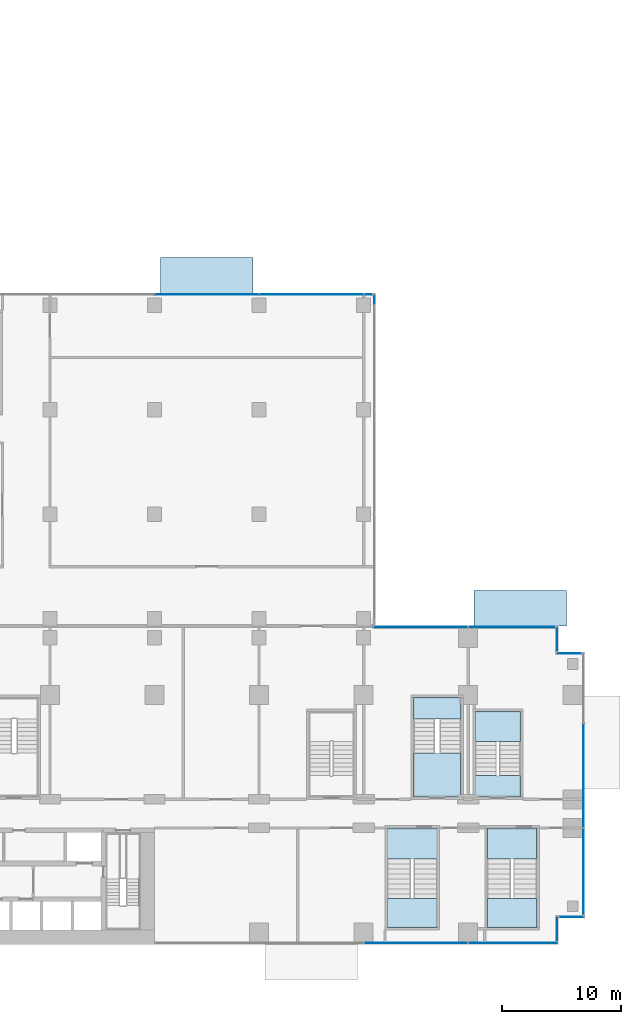
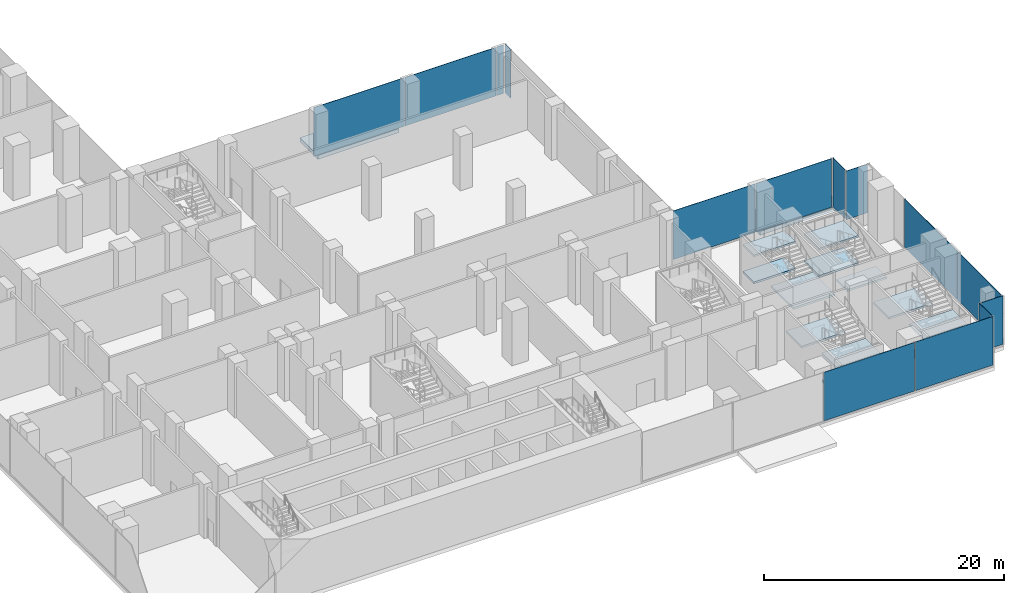
# One storey, part 16 of 30: 14 plates, 14 slabs, 13 elements without a shape of their own.
"""IFC4 building model written with IfcOpenShell, lengths in metres."""

from ifc_helpers import new_model, si_unit, direction, frame, origin, origin_2d, place, context, subcontext, project, spatial, polyline, rectangle, outline, extrude, source, transform, mapped, material, layer, layer_set, type_object, element, aggregate, save


model = new_model("IFC4")

# Units and contexts
model_context = context("Model", 3, precision=1e-05, world=origin(), true_north=direction((0.0, 1.0)))
body_context = subcontext(model_context, "Body", "Model", "MODEL_VIEW")
ifc_project = project(units=[si_unit("LENGTHUNIT", "METRE"), si_unit("AREAUNIT", "SQUARE_METRE"), si_unit("VOLUMEUNIT", "CUBIC_METRE"), si_unit("PLANEANGLEUNIT", "RADIAN"), si_unit("MASSUNIT", "GRAM", prefix="KILO")], contexts=[model_context])

# Site, building, storey
site_placement = place(None, origin())
site = spatial("IfcSite", under=ifc_project, at=site_placement, CompositionType="ELEMENT")
building_placement = place(site_placement, origin())
building = spatial("IfcBuilding", under=site, at=building_placement, Name="Kemantara Hotel Tower", CompositionType="ELEMENT")
storey_placement = place(building_placement, frame((0.0, 0.0, 7.5)))
storey = spatial("IfcBuildingStorey", under=building, at=storey_placement, Name="L01", CompositionType="ELEMENT", Elevation=7.5)

# Slabs
ifc_material_1 = material(Name="Concrete K-500 (fc 42 MPa)", Category="concrete")
ifc_layer_1 = layer(ifc_material_1, 0.39990234375)
ifc_layer_set_1 = layer_set([ifc_layer_1], Name="Concrete K-500 (fc 42 MPa)")
slab_type_1 = type_object("IfcSlabType", Name="ENTRANCE CANOPY SLAB 400", PredefinedType="ROOF", material=ifc_layer_set_1)
slab_1_placement = place(storey_placement, frame((0.0, 0.0, -0.39990234375)))
element("IfcSlab", 1, at=slab_1_placement, inside=storey, type_object=slab_type_1, Name="ENTRANCE CANOPY HOTEL", PredefinedType="ROOF", context=body_context, shape_type="SweptSolid", body=[
    extrude(outline(polyline([(53.300048828125, 54.800048828125), (45.5, 54.800048828125), (45.5, 57.800048828125), (53.300048828125, 57.800048828125), (53.300048828125, 54.800048828125)])), origin(), (0.0, 0.0, 1.0), 0.39990234375),
])
slab_2_placement = place(storey_placement, frame((0.0, 0.0, -0.39990234375)))
element("IfcSlab", 2, at=slab_2_placement, inside=storey, type_object=slab_type_1, Name="ENTRANCE CANOPY STATION-N", PredefinedType="ROOF", context=body_context, shape_type="SweptSolid", body=[
    extrude(outline(polyline([(79.699951171875, 26.800048828125), (71.89990234375, 26.800048828125), (71.89990234375, 29.800048828125), (79.699951171875, 29.800048828125), (79.699951171875, 26.800048828125)])), origin(), (0.0, 0.0, 1.0), 0.39990234375),
])

# Stair, slabs
ifc_material_2 = material(Name="Concrete fc 40 MPa", Category="concrete")
stair_type_1 = type_object("IfcStairType", Name="Stair 1800 wide 36 risers of 153 x 360 mm", PredefinedType="HALF_TURN_STAIR", material=ifc_material_2)
stair_1_placement = place(storey_placement, origin())
stair_1 = element("IfcStair", 3, at=stair_1_placement, inside=storey, type_object=stair_type_1, Name="L01 Exit stair ST5", PredefinedType="HALF_TURN_STAIR")
ifc_layer_2 = layer(ifc_material_2, 0.199951171875)
ifc_layer_set_2 = layer_set([ifc_layer_2], Name="Concrete fc 40 MPa")
slab_type_2 = type_object("IfcSlabType", Name="Stair landing 200 mm", PredefinedType="LANDING", material=ifc_layer_set_2)
slab_3_placement = place(storey_placement, frame((0.0, 0.0, 1.175048828125)))
slab_3 = element("IfcSlab", 4, at=slab_3_placement, type_object=slab_type_2, Name="ST5 landing 1", PredefinedType="LANDING", context=body_context, shape_type="SweptSolid", body=[
    extrude(outline(polyline([(75.800048828125, 17.080078125), (75.800048828125, 19.60009765625), (72.0, 19.60009765625), (72.0, 17.080078125), (75.800048828125, 17.080078125)])), origin(), (0.0, 0.0, 1.0), 0.199951171875),
])
slab_4_placement = place(storey_placement, frame((0.0, 0.0, 2.550048828125)))
slab_4 = element("IfcSlab", 5, at=slab_4_placement, type_object=slab_type_2, Name="ST5 landing 2", PredefinedType="LANDING", context=body_context, shape_type="SweptSolid", body=[
    extrude(outline(polyline([(75.800048828125, 12.39990234375), (75.800048828125, 14.199951171875), (72.0, 14.199951171875), (72.0, 12.39990234375), (75.800048828125, 12.39990234375)])), origin(), (0.0, 0.0, 1.0), 0.199951171875),
])
slab_5_placement = place(storey_placement, frame((0.0, 0.0, 3.925048828125)))
slab_5 = element("IfcSlab", 6, at=slab_5_placement, type_object=slab_type_2, Name="ST5 landing 3", PredefinedType="LANDING", context=body_context, shape_type="SweptSolid", body=[
    extrude(outline(polyline([(75.800048828125, 17.080078125), (75.800048828125, 19.60009765625), (72.0, 19.60009765625), (72.0, 17.080078125), (75.800048828125, 17.080078125)])), origin(), (0.0, 0.0, 1.0), 0.199951171875),
])
aggregate(stair_1, [slab_3, slab_4, slab_5])

stair_2_placement = place(storey_placement, origin())
stair_2 = element("IfcStair", 7, at=stair_2_placement, inside=storey, type_object=stair_type_1, Name="L01 Stair PS1", PredefinedType="HALF_TURN_STAIR")
slab_6_placement = place(storey_placement, frame((0.0, 0.0, 1.175048828125)))
slab_6 = element("IfcSlab", 8, at=slab_6_placement, type_object=slab_type_2, Name="PS1 landing 1", PredefinedType="LANDING", context=body_context, shape_type="SweptSolid", body=[
    extrude(outline(polyline([(70.800048828125, 18.97998046875), (70.800048828125, 20.800048828125), (66.800048828125, 20.800048828125), (66.800048828125, 18.97998046875), (70.800048828125, 18.97998046875)])), origin(), (0.0, 0.0, 1.0), 0.199951171875),
])
slab_7_placement = place(storey_placement, frame((0.0, 0.0, 2.550048828125)))
slab_7 = element("IfcSlab", 9, at=slab_7_placement, type_object=slab_type_2, Name="PS1 landing 2", PredefinedType="LANDING", context=body_context, shape_type="SweptSolid", body=[
    extrude(outline(polyline([(70.800048828125, 12.39990234375), (70.800048828125, 16.10009765625), (66.800048828125, 16.10009765625), (66.800048828125, 12.39990234375), (70.800048828125, 12.39990234375)])), origin(), (0.0, 0.0, 1.0), 0.199951171875),
])
slab_8_placement = place(storey_placement, frame((0.0, 0.0, 3.925048828125)))
slab_8 = element("IfcSlab", 10, at=slab_8_placement, type_object=slab_type_2, Name="PS1 landing 3", PredefinedType="LANDING", context=body_context, shape_type="SweptSolid", body=[
    extrude(outline(polyline([(70.800048828125, 18.97998046875), (70.800048828125, 20.800048828125), (66.800048828125, 20.800048828125), (66.800048828125, 18.97998046875), (70.800048828125, 18.97998046875)])), origin(), (0.0, 0.0, 1.0), 0.199951171875),
])
aggregate(stair_2, [slab_6, slab_7, slab_8])

stair_type_2 = type_object("IfcStairType", Name="Stair 2000 wide 36 risers of 153 x 420 mm", PredefinedType="HALF_TURN_STAIR", material=ifc_material_2)
stair_3_placement = place(storey_placement, origin())
stair_3 = element("IfcStair", 11, at=stair_3_placement, inside=storey, type_object=stair_type_2, Name="L01 Stair PS4", PredefinedType="HALF_TURN_STAIR")
slab_9_placement = place(storey_placement, frame((0.0, 0.0, 1.175048828125)))
slab_9 = element("IfcSlab", 12, at=slab_9_placement, type_object=slab_type_2, Name="PS4 landing 1", PredefinedType="LANDING", context=body_context, shape_type="SweptSolid", body=[
    extrude(outline(polyline([(64.60009765625, 3.840087890625), (64.60009765625, 1.39990234375), (68.800048828125, 1.39990234375), (68.800048828125, 3.840087890625), (64.60009765625, 3.840087890625)])), origin(), (0.0, 0.0, 1.0), 0.199951171875),
])
slab_10_placement = place(storey_placement, frame((0.0, 0.0, 2.550048828125)))
slab_10 = element("IfcSlab", 13, at=slab_10_placement, type_object=slab_type_2, Name="PS4 landing 2", PredefinedType="LANDING", context=body_context, shape_type="SweptSolid", body=[
    extrude(outline(polyline([(64.60009765625, 9.800048828125), (64.60009765625, 7.199951171875), (68.800048828125, 7.199951171875), (68.800048828125, 9.800048828125), (64.60009765625, 9.800048828125)])), origin(), (0.0, 0.0, 1.0), 0.199951171875),
])
slab_11_placement = place(storey_placement, frame((0.0, 0.0, 3.925048828125)))
slab_11 = element("IfcSlab", 14, at=slab_11_placement, type_object=slab_type_2, Name="PS4 landing 3", PredefinedType="LANDING", context=body_context, shape_type="SweptSolid", body=[
    extrude(outline(polyline([(64.60009765625, 3.840087890625), (64.60009765625, 1.39990234375), (68.800048828125, 1.39990234375), (68.800048828125, 3.840087890625), (64.60009765625, 3.840087890625)])), origin(), (0.0, 0.0, 1.0), 0.199951171875),
])
aggregate(stair_3, [slab_9, slab_10, slab_11])

stair_4_placement = place(storey_placement, origin())
stair_4 = element("IfcStair", 15, at=stair_4_placement, inside=storey, type_object=stair_type_2, Name="L01 Stair PS5", PredefinedType="HALF_TURN_STAIR")
slab_12_placement = place(storey_placement, frame((0.0, 0.0, 1.175048828125)))
slab_12 = element("IfcSlab", 16, at=slab_12_placement, type_object=slab_type_2, Name="PS5 landing 1", PredefinedType="LANDING", context=body_context, shape_type="SweptSolid", body=[
    extrude(outline(polyline([(73.0, 3.840087890625), (73.0, 1.39990234375), (77.199951171875, 1.39990234375), (77.199951171875, 3.840087890625), (73.0, 3.840087890625)])), origin(), (0.0, 0.0, 1.0), 0.199951171875),
])
slab_13_placement = place(storey_placement, frame((0.0, 0.0, 2.550048828125)))
slab_13 = element("IfcSlab", 17, at=slab_13_placement, type_object=slab_type_2, Name="PS5 landing 2", PredefinedType="LANDING", context=body_context, shape_type="SweptSolid", body=[
    extrude(outline(polyline([(73.0, 9.800048828125), (73.0, 7.199951171875), (77.199951171875, 7.199951171875), (77.199951171875, 9.800048828125), (73.0, 9.800048828125)])), origin(), (0.0, 0.0, 1.0), 0.199951171875),
])
slab_14_placement = place(storey_placement, frame((0.0, 0.0, 3.925048828125)))
slab_14 = element("IfcSlab", 18, at=slab_14_placement, type_object=slab_type_2, Name="PS5 landing 3", PredefinedType="LANDING", context=body_context, shape_type="SweptSolid", body=[
    extrude(outline(polyline([(73.0, 3.840087890625), (73.0, 1.39990234375), (77.199951171875, 1.39990234375), (77.199951171875, 3.840087890625), (73.0, 3.840087890625)])), origin(), (0.0, 0.0, 1.0), 0.199951171875),
])
aggregate(stair_4, [slab_12, slab_13, slab_14])

# Curtain wall, plate
ifc_material_3 = material(Name="Laminated tinted insulated glass 44 mm", Category="glass")
curtain_wall_type = type_object("IfcCurtainWallType", Name="PODIUM GLASS CURTAIN WALL", PredefinedType="USERDEFINED", material=ifc_material_3)
curtain_wall_1_placement = place(storey_placement, origin())
curtain_wall_1 = element("IfcCurtainWall", 19, at=curtain_wall_1_placement, inside=storey, type_object=curtain_wall_type, Name="CW1 L01 POD-R01-2", ObjectType="PODIUM GLASS CURTAIN WALL", PredefinedType="USERDEFINED")
ifc_layer_3 = layer(ifc_material_3, 0.0439453125)
ifc_layer_set_3 = layer_set([ifc_layer_3], Name="Laminated tinted insulated glass 44 mm")
plate_type = type_object("IfcPlateType", Name="PODIUM GLASS CURTAIN WALL PANEL", PredefinedType="CURTAIN_PANEL", material=ifc_layer_set_3)
shared_shape_1 = source(origin(), body_context, "Body", "SweptSolid", [
    extrude(rectangle(XDim=8.72509765625, YDim=0.0439453125, at=origin_2d()), origin(), (0.0, 0.0, 1.0), 4.949951171875),
])
plate_1_placement = place(storey_placement, frame((67.0, 0.10009765625, 0.14990234375), z_axis=(0.0, 0.0, 1.0), x_axis=(1.0, 0.0, 0.0)))
plate_1 = element("IfcPlate", 20, at=plate_1_placement, type_object=plate_type, Name="CW1 glass panel POD-R01-2.3", PredefinedType="CURTAIN_PANEL", context=body_context, shape_type="MappedRepresentation", body=[
    mapped(shared_shape_1, transform((0.0, 0.0, 0.0))),
])

curtain_wall_2_placement = place(storey_placement, origin())
curtain_wall_2 = element("IfcCurtainWall", 21, at=curtain_wall_2_placement, inside=storey, type_object=curtain_wall_type, Name="CW1 L01 POD-R04-1", ObjectType="PODIUM GLASS CURTAIN WALL", PredefinedType="USERDEFINED")
plate_2_placement = place(storey_placement, frame((81.10009765625, 14.199951171875, 0.14990234375), z_axis=(0.0, 0.0, 1.0), x_axis=(0.0, 1.0, 0.0)))
plate_2 = element("IfcPlate", 22, at=plate_2_placement, type_object=plate_type, Name="CW1 glass panel POD-R04-1.2", PredefinedType="CURTAIN_PANEL", context=body_context, shape_type="MappedRepresentation", body=[
    mapped(shared_shape_1, transform((0.0, 0.0, 0.0))),
])

# Curtain wall, plates
curtain_wall_3_placement = place(storey_placement, origin())
curtain_wall_3 = element("IfcCurtainWall", 23, at=curtain_wall_3_placement, inside=storey, type_object=curtain_wall_type, Name="CW1 L01 POD-R09-1", ObjectType="PODIUM GLASS CURTAIN WALL", PredefinedType="USERDEFINED")
plate_3_placement = place(storey_placement, frame((58.199951171875, 54.699951171875, 0.14990234375), z_axis=(0.0, 0.0, 1.0), x_axis=(-1.0, 0.0, 0.0)))
plate_3 = element("IfcPlate", 24, at=plate_3_placement, type_object=plate_type, Name="CW1 glass panel POD-R09-1.2", PredefinedType="CURTAIN_PANEL", context=body_context, shape_type="MappedRepresentation", body=[
    mapped(shared_shape_1, transform((0.0, 0.0, 0.0))),
])
plate_4_placement = place(storey_placement, frame((49.39990234375, 54.699951171875, 0.14990234375), z_axis=(0.0, 0.0, 1.0), x_axis=(-1.0, 0.0, 0.0)))
plate_4 = element("IfcPlate", 25, at=plate_4_placement, type_object=plate_type, Name="CW1 glass panel POD-R09-1.3", PredefinedType="CURTAIN_PANEL", context=body_context, shape_type="MappedRepresentation", body=[
    mapped(shared_shape_1, transform((0.0, 0.0, 0.0))),
])

# Plate
shared_shape_2 = source(origin(), body_context, "Body", "SweptSolid", [
    extrude(rectangle(XDim=7.487548828125, YDim=0.0439453125, at=origin_2d()), origin(), (0.0, 0.0, 1.0), 4.949951171875),
])
plate_5_placement = place(storey_placement, frame((75.18115234375, 0.10009765625, 0.14990234375), z_axis=(0.0, 0.0, 1.0), x_axis=(1.0, 0.0, 0.0)))
plate_5 = element("IfcPlate", 26, at=plate_5_placement, type_object=plate_type, Name="CW1 glass panel POD-R01-2.4", PredefinedType="CURTAIN_PANEL", context=body_context, shape_type="MappedRepresentation", body=[
    mapped(shared_shape_2, transform((0.0, 0.0, 0.0))),
])

aggregate(curtain_wall_1, [plate_1, plate_5])

shared_shape_3 = source(origin(), body_context, "Body", "SweptSolid", [
    extrude(rectangle(XDim=7.28759765625, YDim=0.0439453125, at=origin_2d()), origin(), (0.0, 0.0, 1.0), 4.949951171875),
])
plate_6_placement = place(storey_placement, frame((81.10009765625, 6.11865234375, 0.14990234375), z_axis=(0.0, 0.0, 1.0), x_axis=(0.0, 1.0, 0.0)))
plate_6 = element("IfcPlate", 27, at=plate_6_placement, type_object=plate_type, Name="CW1 glass panel POD-R04-1.1", PredefinedType="CURTAIN_PANEL", context=body_context, shape_type="MappedRepresentation", body=[
    mapped(shared_shape_3, transform((0.0, 0.0, 0.0))),
])

aggregate(curtain_wall_2, [plate_6, plate_2])

# Curtain wall, plates
curtain_wall_4_placement = place(storey_placement, origin())
curtain_wall_4 = element("IfcCurtainWall", 28, at=curtain_wall_4_placement, inside=storey, type_object=curtain_wall_type, Name="CW1 L01 POD-R07-1", ObjectType="PODIUM GLASS CURTAIN WALL", PredefinedType="USERDEFINED")
plate_7_placement = place(storey_placement, frame((75.081298828125, 26.699951171875, 0.14990234375), z_axis=(0.0, 0.0, 1.0), x_axis=(-1.0, 0.0, 0.0)))
plate_7 = element("IfcPlate", 29, at=plate_7_placement, type_object=plate_type, Name="CW1 glass panel POD-R07-1.1", PredefinedType="CURTAIN_PANEL", context=body_context, shape_type="MappedRepresentation", body=[
    mapped(shared_shape_3, transform((0.0, 0.0, 0.0))),
])
shared_shape_4 = source(origin(), body_context, "Body", "SweptSolid", [
    extrude(rectangle(XDim=7.887451171875, YDim=0.0439453125, at=origin_2d()), origin(), (0.0, 0.0, 1.0), 4.949951171875),
])
plate_8_placement = place(storey_placement, frame((67.418701171875, 26.699951171875, 0.14990234375), z_axis=(0.0, 0.0, 1.0), x_axis=(-1.0, 0.0, 0.0)))
plate_8 = element("IfcPlate", 30, at=plate_8_placement, type_object=plate_type, Name="CW1 glass panel POD-R07-1.2", PredefinedType="CURTAIN_PANEL", context=body_context, shape_type="MappedRepresentation", body=[
    mapped(shared_shape_4, transform((0.0, 0.0, 0.0))),
])
aggregate(curtain_wall_4, [plate_7, plate_8])

# Curtain wall, plate
curtain_wall_5_placement = place(storey_placement, origin())
curtain_wall_5 = element("IfcCurtainWall", 31, at=curtain_wall_5_placement, inside=storey, type_object=curtain_wall_type, Name="CW1 L01 POD-R08-1", ObjectType="PODIUM GLASS CURTAIN WALL", PredefinedType="USERDEFINED")
shared_shape_5 = source(origin(), body_context, "Body", "SweptSolid", [
    extrude(rectangle(XDim=0.887451171875, YDim=0.0439453125, at=origin_2d()), origin(), (0.0, 0.0, 1.0), 4.949951171875),
])
plate_9_placement = place(storey_placement, frame((63.5, 54.28125, 0.14990234375), z_axis=(0.0, 0.0, 1.0), x_axis=(0.0, 1.0, 0.0)))
plate_9 = element("IfcPlate", 32, at=plate_9_placement, type_object=plate_type, Name="CW1 glass panel POD-R08-1.5", PredefinedType="CURTAIN_PANEL", context=body_context, shape_type="MappedRepresentation", body=[
    mapped(shared_shape_5, transform((0.0, 0.0, 0.0))),
])
aggregate(curtain_wall_5, [plate_9])

# Plate
shared_shape_6 = source(origin(), body_context, "Body", "SweptSolid", [
    extrude(rectangle(XDim=0.6875, YDim=0.0439453125, at=origin_2d()), origin(), (0.0, 0.0, 1.0), 4.949951171875),
])
plate_10_placement = place(storey_placement, frame((62.981201171875, 54.699951171875, 0.14990234375), z_axis=(0.0, 0.0, 1.0), x_axis=(-1.0, 0.0, 0.0)))
plate_10 = element("IfcPlate", 33, at=plate_10_placement, type_object=plate_type, Name="CW1 glass panel POD-R09-1.1", PredefinedType="CURTAIN_PANEL", context=body_context, shape_type="MappedRepresentation", body=[
    mapped(shared_shape_6, transform((0.0, 0.0, 0.0))),
])

aggregate(curtain_wall_3, [plate_10, plate_3, plate_4])

# Curtain wall, plate
curtain_wall_6_placement = place(storey_placement, origin())
curtain_wall_6 = element("IfcCurtainWall", 34, at=curtain_wall_6_placement, inside=storey, type_object=curtain_wall_type, Name="CW1 L01 POD-R02-1", ObjectType="PODIUM GLASS CURTAIN WALL", PredefinedType="USERDEFINED")
shared_shape_7 = source(origin(), body_context, "Body", "SweptSolid", [
    extrude(rectangle(XDim=2.050048828125, YDim=0.0439453125, at=origin_2d()), origin(), (0.0, 0.0, 1.0), 4.949951171875),
])
plate_11_placement = place(storey_placement, frame((78.89990234375, 1.300048828125, 0.14990234375), z_axis=(0.0, 0.0, 1.0), x_axis=(0.0, 1.0, 0.0)))
plate_11 = element("IfcPlate", 35, at=plate_11_placement, type_object=plate_type, Name="CW1 glass panel POD-R02-1.1", PredefinedType="CURTAIN_PANEL", context=body_context, shape_type="MappedRepresentation", body=[
    mapped(shared_shape_7, transform((0.0, 0.0, 0.0))),
])
aggregate(curtain_wall_6, [plate_11])

curtain_wall_7_placement = place(storey_placement, origin())
curtain_wall_7 = element("IfcCurtainWall", 36, at=curtain_wall_7_placement, inside=storey, type_object=curtain_wall_type, Name="CW1 L01 POD-R03-1", ObjectType="PODIUM GLASS CURTAIN WALL", PredefinedType="USERDEFINED")
plate_12_placement = place(storey_placement, frame((80.10009765625, 2.300048828125, 0.14990234375), z_axis=(0.0, 0.0, 1.0), x_axis=(1.0, 0.0, 0.0)))
plate_12 = element("IfcPlate", 37, at=plate_12_placement, type_object=plate_type, Name="CW1 glass panel POD-R03-1.1", PredefinedType="CURTAIN_PANEL", context=body_context, shape_type="MappedRepresentation", body=[
    mapped(shared_shape_7, transform((0.0, 0.0, 0.0))),
])
aggregate(curtain_wall_7, [plate_12])

curtain_wall_8_placement = place(storey_placement, origin())
curtain_wall_8 = element("IfcCurtainWall", 38, at=curtain_wall_8_placement, inside=storey, type_object=curtain_wall_type, Name="CW1 L01 POD-R05-1", ObjectType="PODIUM GLASS CURTAIN WALL", PredefinedType="USERDEFINED")
plate_13_placement = place(storey_placement, frame((79.89990234375, 24.5, 0.14990234375), z_axis=(0.0, 0.0, 1.0), x_axis=(-1.0, 0.0, 0.0)))
plate_13 = element("IfcPlate", 39, at=plate_13_placement, type_object=plate_type, Name="CW1 glass panel POD-R05-1.1", PredefinedType="CURTAIN_PANEL", context=body_context, shape_type="MappedRepresentation", body=[
    mapped(shared_shape_7, transform((0.0, 0.0, 0.0))),
])
aggregate(curtain_wall_8, [plate_13])

curtain_wall_9_placement = place(storey_placement, origin())
curtain_wall_9 = element("IfcCurtainWall", 40, at=curtain_wall_9_placement, inside=storey, type_object=curtain_wall_type, Name="CW1 L01 POD-R06-1", ObjectType="PODIUM GLASS CURTAIN WALL", PredefinedType="USERDEFINED")
plate_14_placement = place(storey_placement, frame((78.89990234375, 25.699951171875, 0.14990234375), z_axis=(0.0, 0.0, 1.0), x_axis=(0.0, 1.0, 0.0)))
plate_14 = element("IfcPlate", 41, at=plate_14_placement, type_object=plate_type, Name="CW1 glass panel POD-R06-1.1", PredefinedType="CURTAIN_PANEL", context=body_context, shape_type="MappedRepresentation", body=[
    mapped(shared_shape_7, transform((0.0, 0.0, 0.0))),
])
aggregate(curtain_wall_9, [plate_14])

save(model, "model.ifc")
